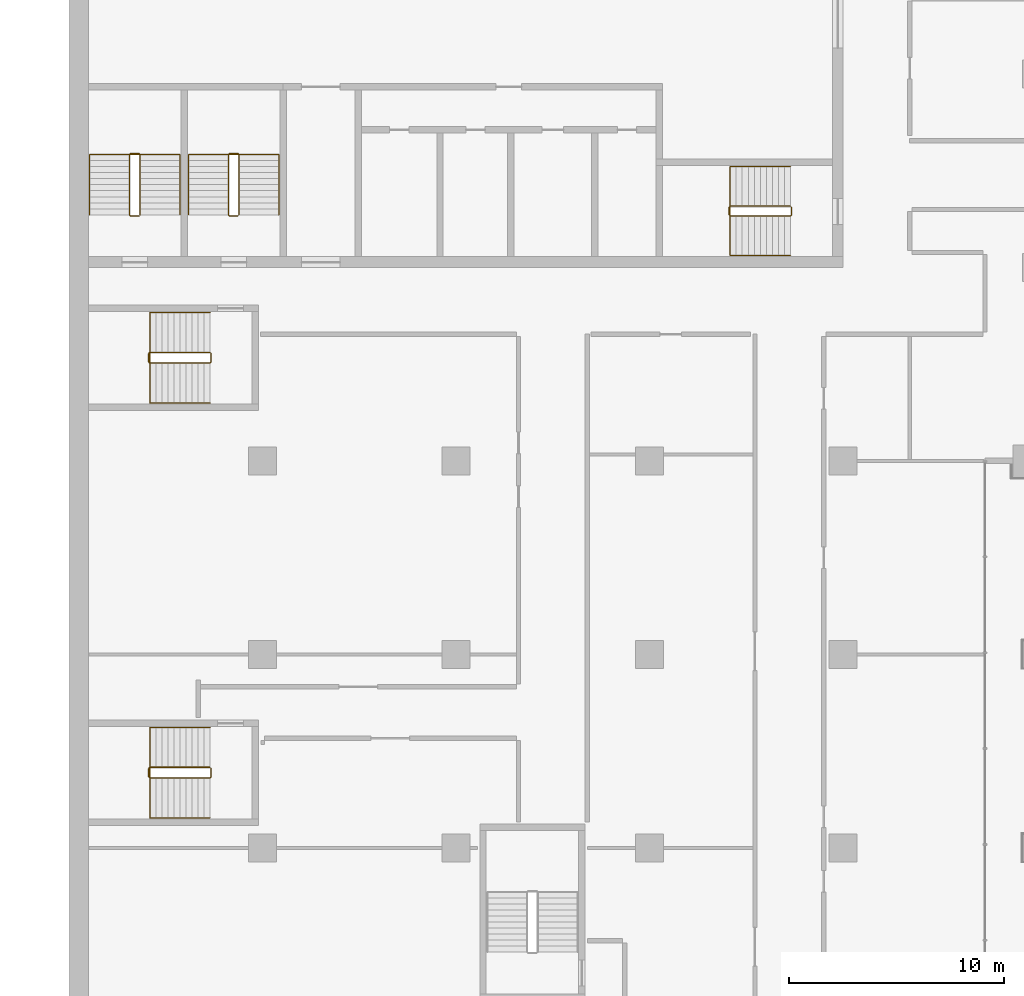
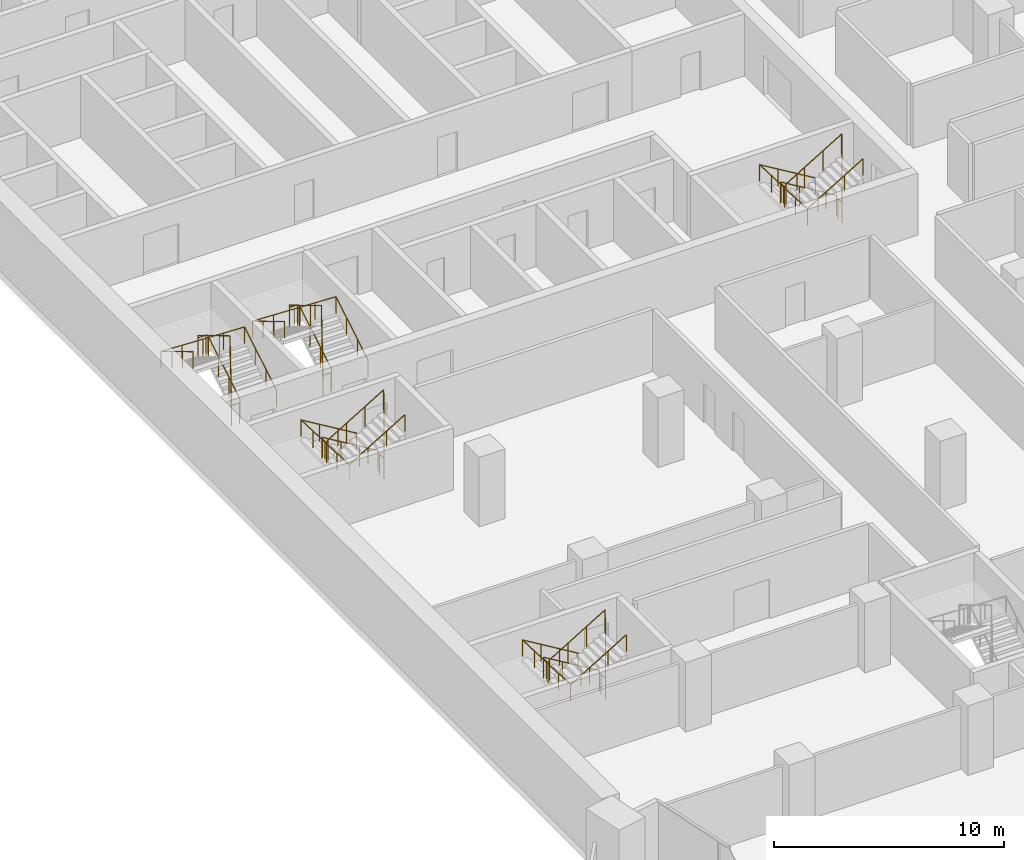
# One storey, part 21 of 23: 10 railings.
"""IFC4 building model written with IfcOpenShell, lengths in metres."""

from ifc_helpers import new_model, si_unit, direction, frame, origin, origin_2d, place, context, subcontext, project, spatial, circle, extrude, material, type_object, element, save


model = new_model("IFC4")

# Units and contexts
model_context = context("Model", 3, precision=1e-05, world=origin(), true_north=direction((0.0, 1.0)))
body_context = subcontext(model_context, "Body", "Model", "MODEL_VIEW")
ifc_project = project(units=[si_unit("LENGTHUNIT", "METRE"), si_unit("AREAUNIT", "SQUARE_METRE"), si_unit("VOLUMEUNIT", "CUBIC_METRE"), si_unit("PLANEANGLEUNIT", "RADIAN"), si_unit("MASSUNIT", "GRAM", prefix="KILO")], contexts=[model_context])

# Site, building, storey
site_placement = place(None, origin())
site = spatial("IfcSite", under=ifc_project, at=site_placement, CompositionType="ELEMENT")
building_placement = place(site_placement, origin())
building = spatial("IfcBuilding", under=site, at=building_placement, Name="Hunhe Ridgeline Campus", CompositionType="ELEMENT")
storey_placement = place(building_placement, frame((0.0, 0.0, 95.89990234375)))
storey = spatial("IfcBuildingStorey", under=building, at=storey_placement, Name="L23", CompositionType="ELEMENT", Elevation=95.89990234375)

# Railings
ifc_material_1 = material(Name="Stainless steel balustrade", Category="steel")
railing_type_1 = type_object("IfcRailingType", Name="Stair guard 1100 stainless", PredefinedType="GUARDRAIL", material=ifc_material_1)
railing_1_placement = place(storey_placement, frame((33.550048828125, 65.85009765625, 0.168212890625)))
element("IfcRailing", 1, at=railing_1_placement, inside=storey, type_object=railing_type_1, Name="L23 stair S2 guard", PredefinedType="GUARDRAIL", context=body_context, shape_type="SweptSolid", body=[
    extrude(circle(Radius=0.02392578125, at=origin_2d()), frame((0.0, 0.0, 1.076171875), z_axis=(-0.857242210791, 0.0, 0.514913383045), x_axis=(0.0, -1.0, 0.0)), (0.0, 0.0, 1.0), 3.266357421875),
    extrude(circle(Radius=0.02392578125, at=origin_2d()), frame((-2.800048828125, 0.0, 2.7578125), z_axis=(-0.707106781187, -0.707106781187, 0.0), x_axis=(0.707106781187, -0.707106781187, 0.0)), (0.0, 0.0, 1.0), 0.07080078125),
    extrude(circle(Radius=0.02392578125, at=origin_2d()), frame((-2.85009765625, -0.050048828125, 2.7578125), z_axis=(0.0, -1.0, 0.0), x_axis=(1.0, 0.0, 0.0)), (0.0, 0.0, 1.0), 0.35009765625),
    extrude(circle(Radius=0.02392578125, at=origin_2d()), frame((-2.85009765625, -0.400146484375, 2.7578125), z_axis=(0.274243871929, -0.274243871929, 0.92172696468), x_axis=(0.707106781187, 0.707106781187, 0.0)), (0.0, 0.0, 1.0), 0.1826171875),
    extrude(circle(Radius=0.02392578125, at=origin_2d()), frame((-2.800048828125, -0.4501953125, 2.92626953125), z_axis=(0.857242210791, 0.0, 0.514913383045), x_axis=(0.0, 1.0, 0.0)), (0.0, 0.0, 1.0), 3.266357421875),
    extrude(circle(Radius=0.02392578125, at=origin_2d()), frame((0.0, -0.4501953125, 4.60791015625), z_axis=(0.013523522368, 0.013523522368, -0.999817097616), x_axis=(-0.707106781187, 0.707106781187, 0.0)), (0.0, 0.0, 1.0), 3.700927734375),
    extrude(circle(Radius=0.02392578125, at=origin_2d()), frame((0.050048828125, -0.400146484375, 0.90771484375), z_axis=(0.0, 1.0, 0.0), x_axis=(-1.0, 0.0, 0.0)), (0.0, 0.0, 1.0), 0.35009765625),
    extrude(circle(Radius=0.02099609375, at=origin_2d()), origin(), (0.0, 0.0, 1.0), 1.052001953125),
    extrude(circle(Radius=0.02099609375, at=origin_2d()), frame((-0.933349609375, 0.0, 0.560546875)), (0.0, 0.0, 1.0), 1.052001953125),
    extrude(circle(Radius=0.02099609375, at=origin_2d()), frame((-1.86669921875, 0.0, 1.121337890625)), (0.0, 0.0, 1.0), 1.052001953125),
    extrude(circle(Radius=0.02099609375, at=origin_2d()), frame((-2.800048828125, 0.0, 1.681884765625)), (0.0, 0.0, 1.0), 1.052001953125),
    extrude(circle(Radius=0.02099609375, at=origin_2d()), frame((-2.85009765625, -0.050048828125, 1.681884765625)), (0.0, 0.0, 1.0), 1.052001953125),
    extrude(circle(Radius=0.02099609375, at=origin_2d()), frame((-2.85009765625, -0.400146484375, 1.681884765625)), (0.0, 0.0, 1.0), 1.052001953125),
    extrude(circle(Radius=0.02099609375, at=origin_2d()), frame((-2.800048828125, -0.4501953125, 1.85009765625)), (0.0, 0.0, 1.0), 1.052001953125),
    extrude(circle(Radius=0.02099609375, at=origin_2d()), frame((-1.86669921875, -0.4501953125, 2.41064453125)), (0.0, 0.0, 1.0), 1.052001953125),
    extrude(circle(Radius=0.02099609375, at=origin_2d()), frame((-0.933349609375, -0.4501953125, 2.971435546875)), (0.0, 0.0, 1.0), 1.052001953125),
    extrude(circle(Radius=0.02099609375, at=origin_2d()), frame((0.0, -0.4501953125, 3.531982421875)), (0.0, 0.0, 1.0), 1.052001953125),
    extrude(circle(Radius=0.02099609375, at=origin_2d()), frame((0.012451171875, -0.437744140625, 2.60693359375)), (0.0, 0.0, 1.0), 1.052001953125),
    extrude(circle(Radius=0.02099609375, at=origin_2d()), frame((0.02490234375, -0.42529296875, 1.681884765625)), (0.0, 0.0, 1.0), 1.052001953125),
    extrude(circle(Radius=0.02099609375, at=origin_2d()), frame((0.03759765625, -0.41259765625, 0.7568359375)), (0.0, 0.0, 1.0), 1.052001953125),
    extrude(circle(Radius=0.02099609375, at=origin_2d()), frame((0.050048828125, -0.400146484375, -0.168212890625)), (0.0, 0.0, 1.0), 1.052001953125),
    extrude(circle(Radius=0.02099609375, at=origin_2d()), frame((0.050048828125, -0.050048828125, -0.168212890625)), (0.0, 0.0, 1.0), 1.052001953125),
])
railing_2_placement = place(storey_placement, frame((3.300048828125, 65.449951171875, 0.168212890625)))
element("IfcRailing", 2, at=railing_2_placement, inside=storey, type_object=railing_type_1, Name="L23 stair S3 guard", PredefinedType="GUARDRAIL", context=body_context, shape_type="SweptSolid", body=[
    extrude(circle(Radius=0.02392578125, at=origin_2d()), frame((0.0, 0.0, 1.076171875), z_axis=(0.0, 0.857242210791, 0.514913383045), x_axis=(-1.0, 0.0, 0.0)), (0.0, 0.0, 1.0), 3.266357421875),
    extrude(circle(Radius=0.02392578125, at=origin_2d()), frame((0.0, 2.800048828125, 2.7578125), z_axis=(-0.707106781187, 0.707106781187, 0.0), x_axis=(-0.707106781187, -0.707106781187, 0.0)), (0.0, 0.0, 1.0), 0.07080078125),
    extrude(circle(Radius=0.02392578125, at=origin_2d()), frame((-0.050048828125, 2.85009765625, 2.7578125), z_axis=(-1.0, 0.0, 0.0), x_axis=(0.0, -1.0, 0.0)), (0.0, 0.0, 1.0), 0.39990234375),
    extrude(circle(Radius=0.02392578125, at=origin_2d()), frame((-0.449951171875, 2.85009765625, 2.7578125), z_axis=(-0.274243871929, -0.274243871929, 0.92172696468), x_axis=(0.707106781187, -0.707106781187, 0.0)), (0.0, 0.0, 1.0), 0.1826171875),
    extrude(circle(Radius=0.02392578125, at=origin_2d()), frame((-0.5, 2.800048828125, 2.92626953125), z_axis=(0.0, -0.857242210791, 0.514913383045), x_axis=(1.0, 0.0, 0.0)), (0.0, 0.0, 1.0), 3.266357421875),
    extrude(circle(Radius=0.02392578125, at=origin_2d()), frame((-0.5, 0.0, 4.60791015625), z_axis=(0.013523522368, -0.013523522368, -0.999817097616), x_axis=(0.707106781187, 0.707106781187, 0.0)), (0.0, 0.0, 1.0), 3.700927734375),
    extrude(circle(Radius=0.02392578125, at=origin_2d()), frame((-0.449951171875, -0.050048828125, 0.90771484375), z_axis=(1.0, 0.0, 0.0), x_axis=(0.0, 1.0, 0.0)), (0.0, 0.0, 1.0), 0.39990234375),
    extrude(circle(Radius=0.02099609375, at=origin_2d()), origin(), (0.0, 0.0, 1.0), 1.052001953125),
    extrude(circle(Radius=0.02099609375, at=origin_2d()), frame((0.0, 0.933349609375, 0.560546875)), (0.0, 0.0, 1.0), 1.052001953125),
    extrude(circle(Radius=0.02099609375, at=origin_2d()), frame((0.0, 1.86669921875, 1.121337890625)), (0.0, 0.0, 1.0), 1.052001953125),
    extrude(circle(Radius=0.02099609375, at=origin_2d()), frame((0.0, 2.800048828125, 1.681884765625)), (0.0, 0.0, 1.0), 1.052001953125),
    extrude(circle(Radius=0.02099609375, at=origin_2d()), frame((-0.050048828125, 2.85009765625, 1.681884765625)), (0.0, 0.0, 1.0), 1.052001953125),
    extrude(circle(Radius=0.02099609375, at=origin_2d()), frame((-0.449951171875, 2.85009765625, 1.681884765625)), (0.0, 0.0, 1.0), 1.052001953125),
    extrude(circle(Radius=0.02099609375, at=origin_2d()), frame((-0.5, 2.800048828125, 1.85009765625)), (0.0, 0.0, 1.0), 1.052001953125),
    extrude(circle(Radius=0.02099609375, at=origin_2d()), frame((-0.5, 1.86669921875, 2.41064453125)), (0.0, 0.0, 1.0), 1.052001953125),
    extrude(circle(Radius=0.02099609375, at=origin_2d()), frame((-0.5, 0.933349609375, 2.971435546875)), (0.0, 0.0, 1.0), 1.052001953125),
    extrude(circle(Radius=0.02099609375, at=origin_2d()), frame((-0.5, 0.0, 3.531982421875)), (0.0, 0.0, 1.0), 1.052001953125),
    extrude(circle(Radius=0.02099609375, at=origin_2d()), frame((-0.487548828125, -0.012451171875, 2.60693359375)), (0.0, 0.0, 1.0), 1.052001953125),
    extrude(circle(Radius=0.02099609375, at=origin_2d()), frame((-0.47509765625, -0.02490234375, 1.681884765625)), (0.0, 0.0, 1.0), 1.052001953125),
    extrude(circle(Radius=0.02099609375, at=origin_2d()), frame((-0.46240234375, -0.03759765625, 0.7568359375)), (0.0, 0.0, 1.0), 1.052001953125),
    extrude(circle(Radius=0.02099609375, at=origin_2d()), frame((-0.449951171875, -0.050048828125, -0.168212890625)), (0.0, 0.0, 1.0), 1.052001953125),
    extrude(circle(Radius=0.02099609375, at=origin_2d()), frame((-0.050048828125, -0.050048828125, -0.168212890625)), (0.0, 0.0, 1.0), 1.052001953125),
])
railing_3_placement = place(storey_placement, frame((7.89990234375, 65.449951171875, 0.168212890625)))
element("IfcRailing", 3, at=railing_3_placement, inside=storey, type_object=railing_type_1, Name="L23 stair S4 guard", PredefinedType="GUARDRAIL", context=body_context, shape_type="SweptSolid", body=[
    extrude(circle(Radius=0.02392578125, at=origin_2d()), frame((0.0, 0.0, 1.076171875), z_axis=(0.0, 0.857242210791, 0.514913383045), x_axis=(-1.0, 0.0, 0.0)), (0.0, 0.0, 1.0), 3.266357421875),
    extrude(circle(Radius=0.02392578125, at=origin_2d()), frame((0.0, 2.800048828125, 2.7578125), z_axis=(-0.705375805398, 0.708833529934, 0.0), x_axis=(-0.708833529934, -0.705375805398, 0.0)), (0.0, 0.0, 1.0), 0.070556640625),
    extrude(circle(Radius=0.02392578125, at=origin_2d()), frame((-0.0498046875, 2.85009765625, 2.7578125), z_axis=(-1.0, 0.0, 0.0), x_axis=(0.0, -1.0, 0.0)), (0.0, 0.0, 1.0), 0.400146484375),
    extrude(circle(Radius=0.02392578125, at=origin_2d()), frame((-0.449951171875, 2.85009765625, 2.7578125), z_axis=(-0.274243871929, -0.274243871929, 0.92172696468), x_axis=(0.707106781187, -0.707106781187, 0.0)), (0.0, 0.0, 1.0), 0.1826171875),
    extrude(circle(Radius=0.02392578125, at=origin_2d()), frame((-0.5, 2.800048828125, 2.92626953125), z_axis=(0.0, -0.857242210791, 0.514913383045), x_axis=(1.0, 0.0, 0.0)), (0.0, 0.0, 1.0), 3.266357421875),
    extrude(circle(Radius=0.02392578125, at=origin_2d()), frame((-0.5, 0.0, 4.60791015625), z_axis=(0.013523522368, -0.013523522368, -0.999817097616), x_axis=(0.707106781187, 0.707106781187, 0.0)), (0.0, 0.0, 1.0), 3.700927734375),
    extrude(circle(Radius=0.02392578125, at=origin_2d()), frame((-0.449951171875, -0.050048828125, 0.90771484375), z_axis=(1.0, 0.0, 0.0), x_axis=(0.0, 1.0, 0.0)), (0.0, 0.0, 1.0), 0.400146484375),
    extrude(circle(Radius=0.02099609375, at=origin_2d()), origin(), (0.0, 0.0, 1.0), 1.052001953125),
    extrude(circle(Radius=0.02099609375, at=origin_2d()), frame((0.0, 0.933349609375, 0.560546875)), (0.0, 0.0, 1.0), 1.052001953125),
    extrude(circle(Radius=0.02099609375, at=origin_2d()), frame((0.0, 1.86669921875, 1.121337890625)), (0.0, 0.0, 1.0), 1.052001953125),
    extrude(circle(Radius=0.02099609375, at=origin_2d()), frame((0.0, 2.800048828125, 1.681884765625)), (0.0, 0.0, 1.0), 1.052001953125),
    extrude(circle(Radius=0.02099609375, at=origin_2d()), frame((-0.0498046875, 2.85009765625, 1.681884765625)), (0.0, 0.0, 1.0), 1.052001953125),
    extrude(circle(Radius=0.02099609375, at=origin_2d()), frame((-0.449951171875, 2.85009765625, 1.681884765625)), (0.0, 0.0, 1.0), 1.052001953125),
    extrude(circle(Radius=0.02099609375, at=origin_2d()), frame((-0.5, 2.800048828125, 1.85009765625)), (0.0, 0.0, 1.0), 1.052001953125),
    extrude(circle(Radius=0.02099609375, at=origin_2d()), frame((-0.5, 1.86669921875, 2.41064453125)), (0.0, 0.0, 1.0), 1.052001953125),
    extrude(circle(Radius=0.02099609375, at=origin_2d()), frame((-0.5, 0.933349609375, 2.971435546875)), (0.0, 0.0, 1.0), 1.052001953125),
    extrude(circle(Radius=0.02099609375, at=origin_2d()), frame((-0.5, 0.0, 3.531982421875)), (0.0, 0.0, 1.0), 1.052001953125),
    extrude(circle(Radius=0.02099609375, at=origin_2d()), frame((-0.487548828125, -0.012451171875, 2.60693359375)), (0.0, 0.0, 1.0), 1.052001953125),
    extrude(circle(Radius=0.02099609375, at=origin_2d()), frame((-0.47509765625, -0.02490234375, 1.681884765625)), (0.0, 0.0, 1.0), 1.052001953125),
    extrude(circle(Radius=0.02099609375, at=origin_2d()), frame((-0.46240234375, -0.03759765625, 0.7568359375)), (0.0, 0.0, 1.0), 1.052001953125),
    extrude(circle(Radius=0.02099609375, at=origin_2d()), frame((-0.449951171875, -0.050048828125, -0.168212890625)), (0.0, 0.0, 1.0), 1.052001953125),
    extrude(circle(Radius=0.02099609375, at=origin_2d()), frame((-0.0498046875, -0.050048828125, -0.168212890625)), (0.0, 0.0, 1.0), 1.052001953125),
])
railing_4_placement = place(storey_placement, frame((6.550048828125, 39.75, 0.168212890625)))
element("IfcRailing", 4, at=railing_4_placement, inside=storey, type_object=railing_type_1, Name="L23 stair W1 guard", PredefinedType="GUARDRAIL", context=body_context, shape_type="SweptSolid", body=[
    extrude(circle(Radius=0.02392578125, at=origin_2d()), frame((0.0, 0.0, 1.076171875), z_axis=(-0.857242210791, 0.0, 0.514913383045), x_axis=(0.0, -1.0, 0.0)), (0.0, 0.0, 1.0), 3.266357421875),
    extrude(circle(Radius=0.02392578125, at=origin_2d()), frame((-2.800048828125, 0.0, 2.7578125), z_axis=(-0.707106781187, -0.707106781187, 0.0), x_axis=(0.707106781187, -0.707106781187, 0.0)), (0.0, 0.0, 1.0), 0.07080078125),
    extrude(circle(Radius=0.02392578125, at=origin_2d()), frame((-2.85009765625, -0.050048828125, 2.7578125), z_axis=(0.0, -1.0, 0.0), x_axis=(1.0, 0.0, 0.0)), (0.0, 0.0, 1.0), 0.39990234375),
    extrude(circle(Radius=0.02392578125, at=origin_2d()), frame((-2.85009765625, -0.449951171875, 2.7578125), z_axis=(0.274243871929, -0.274243871929, 0.92172696468), x_axis=(0.707106781187, 0.707106781187, 0.0)), (0.0, 0.0, 1.0), 0.1826171875),
    extrude(circle(Radius=0.02392578125, at=origin_2d()), frame((-2.800048828125, -0.5, 2.92626953125), z_axis=(0.857242210791, 0.0, 0.514913383045), x_axis=(0.0, 1.0, 0.0)), (0.0, 0.0, 1.0), 3.266357421875),
    extrude(circle(Radius=0.02392578125, at=origin_2d()), frame((0.0, -0.5, 4.60791015625), z_axis=(0.013523522368, 0.013523522368, -0.999817097616), x_axis=(-0.707106781187, 0.707106781187, 0.0)), (0.0, 0.0, 1.0), 3.700927734375),
    extrude(circle(Radius=0.02392578125, at=origin_2d()), frame((0.050048828125, -0.449951171875, 0.90771484375), z_axis=(0.0, 1.0, 0.0), x_axis=(-1.0, 0.0, 0.0)), (0.0, 0.0, 1.0), 0.39990234375),
    extrude(circle(Radius=0.02099609375, at=origin_2d()), origin(), (0.0, 0.0, 1.0), 1.052001953125),
    extrude(circle(Radius=0.02099609375, at=origin_2d()), frame((-0.933349609375, 0.0, 0.560546875)), (0.0, 0.0, 1.0), 1.052001953125),
    extrude(circle(Radius=0.02099609375, at=origin_2d()), frame((-1.86669921875, 0.0, 1.121337890625)), (0.0, 0.0, 1.0), 1.052001953125),
    extrude(circle(Radius=0.02099609375, at=origin_2d()), frame((-2.800048828125, 0.0, 1.681884765625)), (0.0, 0.0, 1.0), 1.052001953125),
    extrude(circle(Radius=0.02099609375, at=origin_2d()), frame((-2.85009765625, -0.050048828125, 1.681884765625)), (0.0, 0.0, 1.0), 1.052001953125),
    extrude(circle(Radius=0.02099609375, at=origin_2d()), frame((-2.85009765625, -0.449951171875, 1.681884765625)), (0.0, 0.0, 1.0), 1.052001953125),
    extrude(circle(Radius=0.02099609375, at=origin_2d()), frame((-2.800048828125, -0.5, 1.85009765625)), (0.0, 0.0, 1.0), 1.052001953125),
    extrude(circle(Radius=0.02099609375, at=origin_2d()), frame((-1.86669921875, -0.5, 2.41064453125)), (0.0, 0.0, 1.0), 1.052001953125),
    extrude(circle(Radius=0.02099609375, at=origin_2d()), frame((-0.933349609375, -0.5, 2.971435546875)), (0.0, 0.0, 1.0), 1.052001953125),
    extrude(circle(Radius=0.02099609375, at=origin_2d()), frame((0.0, -0.5, 3.531982421875)), (0.0, 0.0, 1.0), 1.052001953125),
    extrude(circle(Radius=0.02099609375, at=origin_2d()), frame((0.012451171875, -0.487548828125, 2.60693359375)), (0.0, 0.0, 1.0), 1.052001953125),
    extrude(circle(Radius=0.02099609375, at=origin_2d()), frame((0.02490234375, -0.47509765625, 1.681884765625)), (0.0, 0.0, 1.0), 1.052001953125),
    extrude(circle(Radius=0.02099609375, at=origin_2d()), frame((0.03759765625, -0.46240234375, 0.7568359375)), (0.0, 0.0, 1.0), 1.052001953125),
    extrude(circle(Radius=0.02099609375, at=origin_2d()), frame((0.050048828125, -0.449951171875, -0.168212890625)), (0.0, 0.0, 1.0), 1.052001953125),
    extrude(circle(Radius=0.02099609375, at=origin_2d()), frame((0.050048828125, -0.050048828125, -0.168212890625)), (0.0, 0.0, 1.0), 1.052001953125),
])
railing_5_placement = place(storey_placement, frame((6.550048828125, 59.050048828125, 0.168212890625)))
element("IfcRailing", 5, at=railing_5_placement, inside=storey, type_object=railing_type_1, Name="L23 stair W2 guard", PredefinedType="GUARDRAIL", context=body_context, shape_type="SweptSolid", body=[
    extrude(circle(Radius=0.02392578125, at=origin_2d()), frame((0.0, 0.0, 1.076171875), z_axis=(-0.857242210791, 0.0, 0.514913383045), x_axis=(0.0, -1.0, 0.0)), (0.0, 0.0, 1.0), 3.266357421875),
    extrude(circle(Radius=0.02392578125, at=origin_2d()), frame((-2.800048828125, 0.0, 2.7578125), z_axis=(-0.707106781187, -0.707106781187, 0.0), x_axis=(0.707106781187, -0.707106781187, 0.0)), (0.0, 0.0, 1.0), 0.07080078125),
    extrude(circle(Radius=0.02392578125, at=origin_2d()), frame((-2.85009765625, -0.050048828125, 2.7578125), z_axis=(0.0, -1.0, 0.0), x_axis=(1.0, 0.0, 0.0)), (0.0, 0.0, 1.0), 0.39990234375),
    extrude(circle(Radius=0.02392578125, at=origin_2d()), frame((-2.85009765625, -0.449951171875, 2.7578125), z_axis=(0.274243871929, -0.274243871929, 0.92172696468), x_axis=(0.707106781187, 0.707106781187, 0.0)), (0.0, 0.0, 1.0), 0.1826171875),
    extrude(circle(Radius=0.02392578125, at=origin_2d()), frame((-2.800048828125, -0.5, 2.92626953125), z_axis=(0.857242210791, 0.0, 0.514913383045), x_axis=(0.0, 1.0, 0.0)), (0.0, 0.0, 1.0), 3.266357421875),
    extrude(circle(Radius=0.02392578125, at=origin_2d()), frame((0.0, -0.5, 4.60791015625), z_axis=(0.013523522368, 0.013523522368, -0.999817097616), x_axis=(-0.707106781187, 0.707106781187, 0.0)), (0.0, 0.0, 1.0), 3.700927734375),
    extrude(circle(Radius=0.02392578125, at=origin_2d()), frame((0.050048828125, -0.449951171875, 0.90771484375), z_axis=(0.0, 1.0, 0.0), x_axis=(-1.0, 0.0, 0.0)), (0.0, 0.0, 1.0), 0.39990234375),
    extrude(circle(Radius=0.02099609375, at=origin_2d()), origin(), (0.0, 0.0, 1.0), 1.052001953125),
    extrude(circle(Radius=0.02099609375, at=origin_2d()), frame((-0.933349609375, 0.0, 0.560546875)), (0.0, 0.0, 1.0), 1.052001953125),
    extrude(circle(Radius=0.02099609375, at=origin_2d()), frame((-1.86669921875, 0.0, 1.121337890625)), (0.0, 0.0, 1.0), 1.052001953125),
    extrude(circle(Radius=0.02099609375, at=origin_2d()), frame((-2.800048828125, 0.0, 1.681884765625)), (0.0, 0.0, 1.0), 1.052001953125),
    extrude(circle(Radius=0.02099609375, at=origin_2d()), frame((-2.85009765625, -0.050048828125, 1.681884765625)), (0.0, 0.0, 1.0), 1.052001953125),
    extrude(circle(Radius=0.02099609375, at=origin_2d()), frame((-2.85009765625, -0.449951171875, 1.681884765625)), (0.0, 0.0, 1.0), 1.052001953125),
    extrude(circle(Radius=0.02099609375, at=origin_2d()), frame((-2.800048828125, -0.5, 1.85009765625)), (0.0, 0.0, 1.0), 1.052001953125),
    extrude(circle(Radius=0.02099609375, at=origin_2d()), frame((-1.86669921875, -0.5, 2.41064453125)), (0.0, 0.0, 1.0), 1.052001953125),
    extrude(circle(Radius=0.02099609375, at=origin_2d()), frame((-0.933349609375, -0.5, 2.971435546875)), (0.0, 0.0, 1.0), 1.052001953125),
    extrude(circle(Radius=0.02099609375, at=origin_2d()), frame((0.0, -0.5, 3.531982421875)), (0.0, 0.0, 1.0), 1.052001953125),
    extrude(circle(Radius=0.02099609375, at=origin_2d()), frame((0.012451171875, -0.487548828125, 2.60693359375)), (0.0, 0.0, 1.0), 1.052001953125),
    extrude(circle(Radius=0.02099609375, at=origin_2d()), frame((0.02490234375, -0.47509765625, 1.681884765625)), (0.0, 0.0, 1.0), 1.052001953125),
    extrude(circle(Radius=0.02099609375, at=origin_2d()), frame((0.03759765625, -0.46240234375, 0.7568359375)), (0.0, 0.0, 1.0), 1.052001953125),
    extrude(circle(Radius=0.02099609375, at=origin_2d()), frame((0.050048828125, -0.449951171875, -0.168212890625)), (0.0, 0.0, 1.0), 1.052001953125),
    extrude(circle(Radius=0.02099609375, at=origin_2d()), frame((0.050048828125, -0.050048828125, -0.168212890625)), (0.0, 0.0, 1.0), 1.052001953125),
])
ifc_material_2 = material(Name="Stainless steel handrail", Category="steel")
railing_type_2 = type_object("IfcRailingType", Name="Stair handrail 900 stainless", PredefinedType="HANDRAIL", material=ifc_material_2)
railing_6_placement = place(storey_placement, frame((33.550048828125, 67.699951171875, 0.168212890625)))
element("IfcRailing", 6, at=railing_6_placement, inside=storey, type_object=railing_type_2, Name="L23 stair S2 handrail", PredefinedType="HANDRAIL", context=body_context, shape_type="SweptSolid", body=[
    extrude(circle(Radius=0.02392578125, at=origin_2d()), frame((0.0, 0.0, 0.8759765625), z_axis=(-0.857242210791, 0.0, 0.514913383045), x_axis=(0.0, -1.0, 0.0)), (0.0, 0.0, 1.0), 3.266357421875),
    extrude(circle(Radius=0.02392578125, at=origin_2d()), frame((-2.800048828125, 0.0, 2.5576171875), z_axis=(0.0, -0.99917950104, 0.040500922239), x_axis=(1.0, 0.0, 0.0)), (0.0, 0.0, 1.0), 4.1533203125),
    extrude(circle(Radius=0.02392578125, at=origin_2d()), frame((-2.800048828125, -4.14990234375, 2.72607421875), z_axis=(0.857242210791, 0.0, 0.514913383045), x_axis=(0.0, 1.0, 0.0)), (0.0, 0.0, 1.0), 3.266357421875),
    extrude(circle(Radius=0.02099609375, at=origin_2d()), origin(), (0.0, 0.0, 1.0), 0.851806640625),
    extrude(circle(Radius=0.02099609375, at=origin_2d()), frame((-0.933349609375, 0.0, 0.560546875)), (0.0, 0.0, 1.0), 0.851806640625),
    extrude(circle(Radius=0.02099609375, at=origin_2d()), frame((-1.86669921875, 0.0, 1.121337890625)), (0.0, 0.0, 1.0), 0.851806640625),
    extrude(circle(Radius=0.02099609375, at=origin_2d()), frame((-2.800048828125, 0.0, 1.681884765625)), (0.0, 0.0, 1.0), 0.851806640625),
    extrude(circle(Radius=0.02099609375, at=origin_2d()), frame((-2.800048828125, -1.03759765625, 1.723876953125)), (0.0, 0.0, 1.0), 0.851806640625),
    extrude(circle(Radius=0.02099609375, at=origin_2d()), frame((-2.800048828125, -2.074951171875, 1.76611328125)), (0.0, 0.0, 1.0), 0.851806640625),
    extrude(circle(Radius=0.02099609375, at=origin_2d()), frame((-2.800048828125, -3.1123046875, 1.80810546875)), (0.0, 0.0, 1.0), 0.851806640625),
    extrude(circle(Radius=0.02099609375, at=origin_2d()), frame((-2.800048828125, -4.14990234375, 1.85009765625)), (0.0, 0.0, 1.0), 0.851806640625),
    extrude(circle(Radius=0.02099609375, at=origin_2d()), frame((-1.86669921875, -4.14990234375, 2.41064453125)), (0.0, 0.0, 1.0), 0.851806640625),
    extrude(circle(Radius=0.02099609375, at=origin_2d()), frame((-0.933349609375, -4.14990234375, 2.971435546875)), (0.0, 0.0, 1.0), 0.851806640625),
    extrude(circle(Radius=0.02099609375, at=origin_2d()), frame((0.0, -4.14990234375, 3.531982421875)), (0.0, 0.0, 1.0), 0.851806640625),
])
railing_7_placement = place(storey_placement, frame((5.14990234375, 65.449951171875, 0.168212890625)))
element("IfcRailing", 7, at=railing_7_placement, inside=storey, type_object=railing_type_2, Name="L23 stair S3 handrail", PredefinedType="HANDRAIL", context=body_context, shape_type="SweptSolid", body=[
    extrude(circle(Radius=0.02392578125, at=origin_2d()), frame((0.0, 0.0, 0.8759765625), z_axis=(0.0, 0.857242210791, 0.514913383045), x_axis=(-1.0, 0.0, 0.0)), (0.0, 0.0, 1.0), 3.266357421875),
    extrude(circle(Radius=0.02392578125, at=origin_2d()), frame((0.0, 2.800048828125, 2.5576171875), z_axis=(-0.999198916169, 0.0, 0.040019069537), x_axis=(0.0, -1.0, 0.0)), (0.0, 0.0, 1.0), 4.203369140625),
    extrude(circle(Radius=0.02392578125, at=origin_2d()), frame((-4.199951171875, 2.800048828125, 2.72607421875), z_axis=(0.0, -0.857242210791, 0.514913383045), x_axis=(1.0, 0.0, 0.0)), (0.0, 0.0, 1.0), 3.266357421875),
    extrude(circle(Radius=0.02099609375, at=origin_2d()), origin(), (0.0, 0.0, 1.0), 0.851806640625),
    extrude(circle(Radius=0.02099609375, at=origin_2d()), frame((0.0, 0.933349609375, 0.560546875)), (0.0, 0.0, 1.0), 0.851806640625),
    extrude(circle(Radius=0.02099609375, at=origin_2d()), frame((0.0, 1.86669921875, 1.121337890625)), (0.0, 0.0, 1.0), 0.851806640625),
    extrude(circle(Radius=0.02099609375, at=origin_2d()), frame((0.0, 2.800048828125, 1.681884765625)), (0.0, 0.0, 1.0), 0.851806640625),
    extrude(circle(Radius=0.02099609375, at=origin_2d()), frame((-1.050048828125, 2.800048828125, 1.723876953125)), (0.0, 0.0, 1.0), 0.851806640625),
    extrude(circle(Radius=0.02099609375, at=origin_2d()), frame((-2.10009765625, 2.800048828125, 1.76611328125)), (0.0, 0.0, 1.0), 0.851806640625),
    extrude(circle(Radius=0.02099609375, at=origin_2d()), frame((-3.14990234375, 2.800048828125, 1.80810546875)), (0.0, 0.0, 1.0), 0.851806640625),
    extrude(circle(Radius=0.02099609375, at=origin_2d()), frame((-4.199951171875, 2.800048828125, 1.85009765625)), (0.0, 0.0, 1.0), 0.851806640625),
    extrude(circle(Radius=0.02099609375, at=origin_2d()), frame((-4.199951171875, 1.86669921875, 2.41064453125)), (0.0, 0.0, 1.0), 0.851806640625),
    extrude(circle(Radius=0.02099609375, at=origin_2d()), frame((-4.199951171875, 0.933349609375, 2.971435546875)), (0.0, 0.0, 1.0), 0.851806640625),
    extrude(circle(Radius=0.02099609375, at=origin_2d()), frame((-4.199951171875, 0.0, 3.531982421875)), (0.0, 0.0, 1.0), 0.851806640625),
])
railing_8_placement = place(storey_placement, frame((9.75, 65.449951171875, 0.168212890625)))
element("IfcRailing", 8, at=railing_8_placement, inside=storey, type_object=railing_type_2, Name="L23 stair S4 handrail", PredefinedType="HANDRAIL", context=body_context, shape_type="SweptSolid", body=[
    extrude(circle(Radius=0.02392578125, at=origin_2d()), frame((0.0, 0.0, 0.8759765625), z_axis=(0.0, 0.857242210791, 0.514913383045), x_axis=(-1.0, 0.0, 0.0)), (0.0, 0.0, 1.0), 3.266357421875),
    extrude(circle(Radius=0.02392578125, at=origin_2d()), frame((0.0, 2.800048828125, 2.5576171875), z_axis=(-0.999198916169, 0.0, 0.040019069537), x_axis=(0.0, -1.0, 0.0)), (0.0, 0.0, 1.0), 4.203369140625),
    extrude(circle(Radius=0.02392578125, at=origin_2d()), frame((-4.199951171875, 2.800048828125, 2.72607421875), z_axis=(0.0, -0.857242210791, 0.514913383045), x_axis=(1.0, 0.0, 0.0)), (0.0, 0.0, 1.0), 3.266357421875),
    extrude(circle(Radius=0.02099609375, at=origin_2d()), origin(), (0.0, 0.0, 1.0), 0.851806640625),
    extrude(circle(Radius=0.02099609375, at=origin_2d()), frame((0.0, 0.933349609375, 0.560546875)), (0.0, 0.0, 1.0), 0.851806640625),
    extrude(circle(Radius=0.02099609375, at=origin_2d()), frame((0.0, 1.86669921875, 1.121337890625)), (0.0, 0.0, 1.0), 0.851806640625),
    extrude(circle(Radius=0.02099609375, at=origin_2d()), frame((0.0, 2.800048828125, 1.681884765625)), (0.0, 0.0, 1.0), 0.851806640625),
    extrude(circle(Radius=0.02099609375, at=origin_2d()), frame((-1.050048828125, 2.800048828125, 1.723876953125)), (0.0, 0.0, 1.0), 0.851806640625),
    extrude(circle(Radius=0.02099609375, at=origin_2d()), frame((-2.10009765625, 2.800048828125, 1.76611328125)), (0.0, 0.0, 1.0), 0.851806640625),
    extrude(circle(Radius=0.02099609375, at=origin_2d()), frame((-3.14990234375, 2.800048828125, 1.80810546875)), (0.0, 0.0, 1.0), 0.851806640625),
    extrude(circle(Radius=0.02099609375, at=origin_2d()), frame((-4.199951171875, 2.800048828125, 1.85009765625)), (0.0, 0.0, 1.0), 0.851806640625),
    extrude(circle(Radius=0.02099609375, at=origin_2d()), frame((-4.199951171875, 1.86669921875, 2.41064453125)), (0.0, 0.0, 1.0), 0.851806640625),
    extrude(circle(Radius=0.02099609375, at=origin_2d()), frame((-4.199951171875, 0.933349609375, 2.971435546875)), (0.0, 0.0, 1.0), 0.851806640625),
    extrude(circle(Radius=0.02099609375, at=origin_2d()), frame((-4.199951171875, 0.0, 3.531982421875)), (0.0, 0.0, 1.0), 0.851806640625),
])
railing_9_placement = place(storey_placement, frame((6.550048828125, 41.60009765625, 0.168212890625)))
element("IfcRailing", 9, at=railing_9_placement, inside=storey, type_object=railing_type_2, Name="L23 stair W1 handrail", PredefinedType="HANDRAIL", context=body_context, shape_type="SweptSolid", body=[
    extrude(circle(Radius=0.02392578125, at=origin_2d()), frame((0.0, 0.0, 0.8759765625), z_axis=(-0.857242210791, 0.0, 0.514913383045), x_axis=(0.0, -1.0, 0.0)), (0.0, 0.0, 1.0), 3.266357421875),
    extrude(circle(Radius=0.02392578125, at=origin_2d()), frame((-2.800048828125, 0.0, 2.5576171875), z_axis=(0.0, -0.999199009182, 0.040016747113), x_axis=(1.0, 0.0, 0.0)), (0.0, 0.0, 1.0), 4.20361328125),
    extrude(circle(Radius=0.02392578125, at=origin_2d()), frame((-2.800048828125, -4.2001953125, 2.72607421875), z_axis=(0.857242210791, 0.0, 0.514913383045), x_axis=(0.0, 1.0, 0.0)), (0.0, 0.0, 1.0), 3.266357421875),
    extrude(circle(Radius=0.02099609375, at=origin_2d()), origin(), (0.0, 0.0, 1.0), 0.851806640625),
    extrude(circle(Radius=0.02099609375, at=origin_2d()), frame((-0.933349609375, 0.0, 0.560546875)), (0.0, 0.0, 1.0), 0.851806640625),
    extrude(circle(Radius=0.02099609375, at=origin_2d()), frame((-1.86669921875, 0.0, 1.121337890625)), (0.0, 0.0, 1.0), 0.851806640625),
    extrude(circle(Radius=0.02099609375, at=origin_2d()), frame((-2.800048828125, 0.0, 1.681884765625)), (0.0, 0.0, 1.0), 0.851806640625),
    extrude(circle(Radius=0.02099609375, at=origin_2d()), frame((-2.800048828125, -1.050048828125, 1.723876953125)), (0.0, 0.0, 1.0), 0.851806640625),
    extrude(circle(Radius=0.02099609375, at=origin_2d()), frame((-2.800048828125, -2.10009765625, 1.76611328125)), (0.0, 0.0, 1.0), 0.851806640625),
    extrude(circle(Radius=0.02099609375, at=origin_2d()), frame((-2.800048828125, -3.150146484375, 1.80810546875)), (0.0, 0.0, 1.0), 0.851806640625),
    extrude(circle(Radius=0.02099609375, at=origin_2d()), frame((-2.800048828125, -4.2001953125, 1.85009765625)), (0.0, 0.0, 1.0), 0.851806640625),
    extrude(circle(Radius=0.02099609375, at=origin_2d()), frame((-1.86669921875, -4.2001953125, 2.41064453125)), (0.0, 0.0, 1.0), 0.851806640625),
    extrude(circle(Radius=0.02099609375, at=origin_2d()), frame((-0.933349609375, -4.2001953125, 2.971435546875)), (0.0, 0.0, 1.0), 0.851806640625),
    extrude(circle(Radius=0.02099609375, at=origin_2d()), frame((0.0, -4.2001953125, 3.531982421875)), (0.0, 0.0, 1.0), 0.851806640625),
])
railing_10_placement = place(storey_placement, frame((6.550048828125, 60.89990234375, 0.168212890625)))
element("IfcRailing", 10, at=railing_10_placement, inside=storey, type_object=railing_type_2, Name="L23 stair W2 handrail", PredefinedType="HANDRAIL", context=body_context, shape_type="SweptSolid", body=[
    extrude(circle(Radius=0.02392578125, at=origin_2d()), frame((0.0, 0.0, 0.8759765625), z_axis=(-0.857242210791, 0.0, 0.514913383045), x_axis=(0.0, -1.0, 0.0)), (0.0, 0.0, 1.0), 3.266357421875),
    extrude(circle(Radius=0.02392578125, at=origin_2d()), frame((-2.800048828125, 0.0, 2.5576171875), z_axis=(0.0, -0.999198916169, 0.040019069537), x_axis=(1.0, 0.0, 0.0)), (0.0, 0.0, 1.0), 4.203369140625),
    extrude(circle(Radius=0.02392578125, at=origin_2d()), frame((-2.800048828125, -4.199951171875, 2.72607421875), z_axis=(0.857242210791, 0.0, 0.514913383045), x_axis=(0.0, 1.0, 0.0)), (0.0, 0.0, 1.0), 3.266357421875),
    extrude(circle(Radius=0.02099609375, at=origin_2d()), origin(), (0.0, 0.0, 1.0), 0.851806640625),
    extrude(circle(Radius=0.02099609375, at=origin_2d()), frame((-0.933349609375, 0.0, 0.560546875)), (0.0, 0.0, 1.0), 0.851806640625),
    extrude(circle(Radius=0.02099609375, at=origin_2d()), frame((-1.86669921875, 0.0, 1.121337890625)), (0.0, 0.0, 1.0), 0.851806640625),
    extrude(circle(Radius=0.02099609375, at=origin_2d()), frame((-2.800048828125, 0.0, 1.681884765625)), (0.0, 0.0, 1.0), 0.851806640625),
    extrude(circle(Radius=0.02099609375, at=origin_2d()), frame((-2.800048828125, -1.050048828125, 1.723876953125)), (0.0, 0.0, 1.0), 0.851806640625),
    extrude(circle(Radius=0.02099609375, at=origin_2d()), frame((-2.800048828125, -2.10009765625, 1.76611328125)), (0.0, 0.0, 1.0), 0.851806640625),
    extrude(circle(Radius=0.02099609375, at=origin_2d()), frame((-2.800048828125, -3.14990234375, 1.80810546875)), (0.0, 0.0, 1.0), 0.851806640625),
    extrude(circle(Radius=0.02099609375, at=origin_2d()), frame((-2.800048828125, -4.199951171875, 1.85009765625)), (0.0, 0.0, 1.0), 0.851806640625),
    extrude(circle(Radius=0.02099609375, at=origin_2d()), frame((-1.86669921875, -4.199951171875, 2.41064453125)), (0.0, 0.0, 1.0), 0.851806640625),
    extrude(circle(Radius=0.02099609375, at=origin_2d()), frame((-0.933349609375, -4.199951171875, 2.971435546875)), (0.0, 0.0, 1.0), 0.851806640625),
    extrude(circle(Radius=0.02099609375, at=origin_2d()), frame((0.0, -4.199951171875, 3.531982421875)), (0.0, 0.0, 1.0), 0.851806640625),
])

save(model, "model.ifc")
